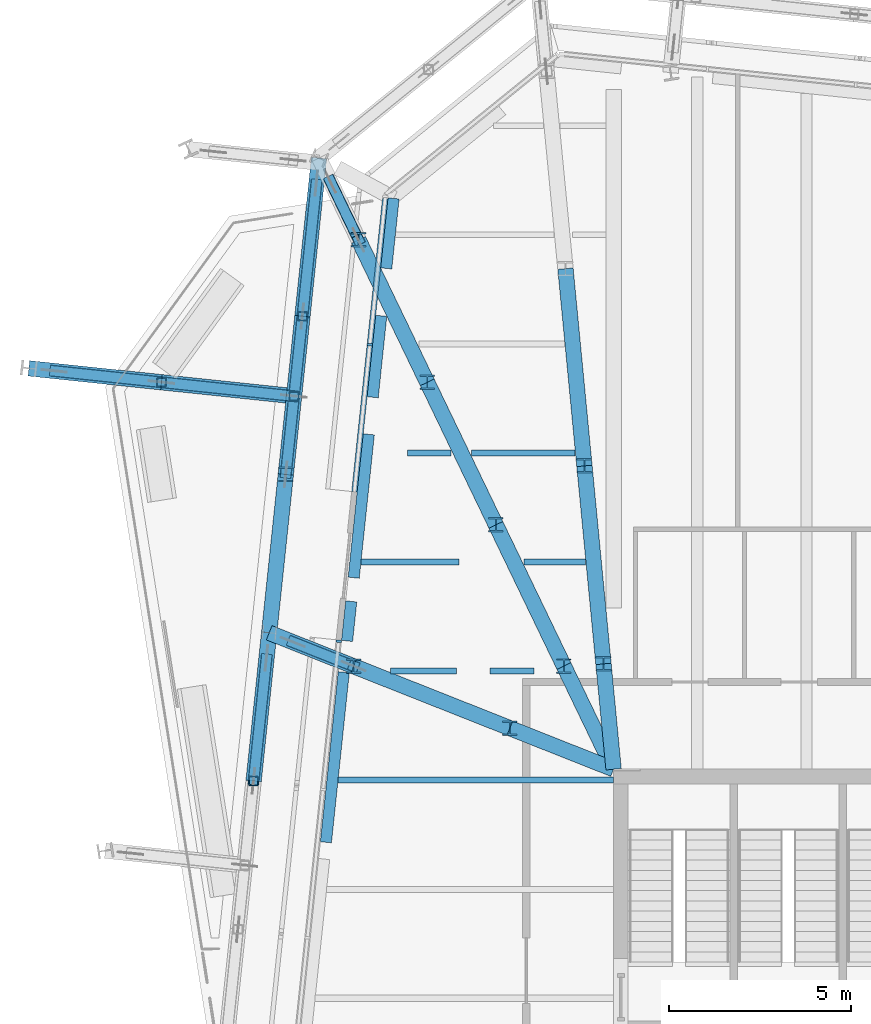
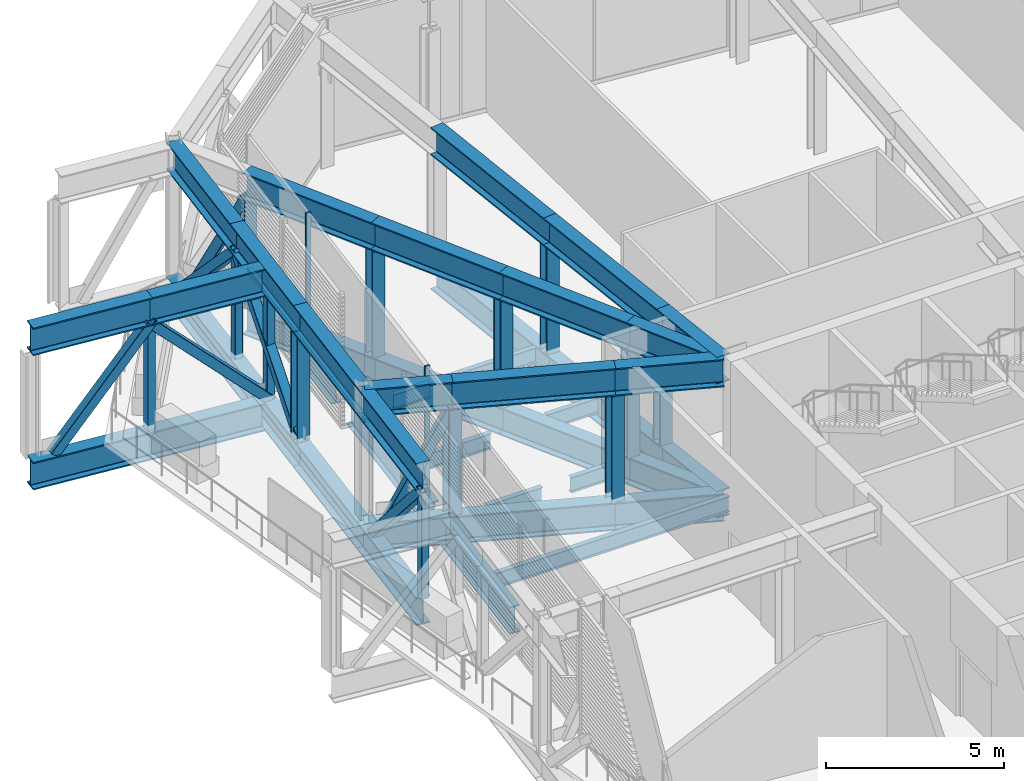
# One storey, part 13 of 36: 44 beams, 23 members, 1 element without a shape of its own.
"""IFC4 building model written with IfcOpenShell, lengths in metres."""

from ifc_helpers import new_model, si_unit, direction, frame, origin, origin_2d, place, context, subcontext, project, spatial, rectangle, hollow_rectangle, i_section, extrude, material, layer, layer_set, material_profile, profile_set, type_object, element, aggregate, save


model = new_model("IFC4")

# Units and contexts
model_context = context("Model", 3, precision=1e-05, world=origin(), true_north=direction((0.0, 1.0)))
body_context = subcontext(model_context, "Body", "Model", "MODEL_VIEW")
ifc_project = project(units=[si_unit("LENGTHUNIT", "METRE"), si_unit("AREAUNIT", "SQUARE_METRE"), si_unit("VOLUMEUNIT", "CUBIC_METRE"), si_unit("PLANEANGLEUNIT", "RADIAN"), si_unit("MASSUNIT", "GRAM", prefix="KILO")], contexts=[model_context])

# Site, building, storey
site_placement = place(None, origin())
site = spatial("IfcSite", under=ifc_project, at=site_placement, CompositionType="ELEMENT")
building_placement = place(site_placement, origin())
building = spatial("IfcBuilding", under=site, at=building_placement, Name="Millrace Tower", CompositionType="ELEMENT")
storey_placement = place(building_placement, frame((0.0, 0.0, 271.39990234375)))
storey = spatial("IfcBuildingStorey", under=building, at=storey_placement, Name="L62", CompositionType="ELEMENT", Elevation=271.39990234375)

# Curtain wall, members
ifc_material_1 = material(Name="Aluminium and glass", Category="aluminium")
ifc_layer = layer(ifc_material_1, 0.14990234375)
ifc_layer_set = layer_set([ifc_layer], Name="Aluminium and glass")
curtain_wall_type = type_object("IfcCurtainWallType", Name="CW-5 truss and plant storey louvred infill", PredefinedType="NOTDEFINED", material=ifc_layer_set)
curtain_wall_placement = place(storey_placement, origin())
curtain_wall = element("IfcCurtainWall", 1, at=curtain_wall_placement, inside=storey, type_object=curtain_wall_type, Name="Curtain wall E-F08 L62", PredefinedType="NOTDEFINED")
ifc_material_2 = material(Name="Aluminium", Category="aluminium")
ifc_material_profile_1 = material_profile(ifc_material_2, rectangle(XDim=0.06494140625, YDim=0.14990234375, at=origin_2d()))
ifc_profile_set_1 = profile_set([ifc_material_profile_1], Name="Aluminium")
member_type_1 = type_object("IfcMemberType", Name="CW-5 truss and plant storey louvred infill mullion", PredefinedType="MULLION", material=ifc_profile_set_1)
member_1_placement = place(storey_placement, frame((-21.00341796875, 20.974853515625, 0.14013671875), z_axis=(0.0, 0.0, 1.0), x_axis=(-0.104528455196, -0.994521896217, 0.0)))
member_1 = element("IfcMember", 2, at=member_1_placement, type_object=member_type_1, Name="CW5 mullion E-F08.2", PredefinedType="MULLION", context=body_context, shape_type="SweptSolid", body=[
    extrude(rectangle(XDim=0.06494140625, YDim=0.14990234375, at=origin_2d()), origin(), (0.0, 0.0, 1.0), 4.4599609375),
])
member_2_placement = place(storey_placement, frame((-21.860595703125, 12.81982421875, 0.14013671875), z_axis=(0.0, 0.0, 1.0), x_axis=(-0.104528455196, -0.994521896217, 0.0)))
member_2 = element("IfcMember", 3, at=member_2_placement, type_object=member_type_1, Name="CW5 mullion E-F08.4", PredefinedType="MULLION", context=body_context, shape_type="SweptSolid", body=[
    extrude(rectangle(XDim=0.06494140625, YDim=0.14990234375, at=origin_2d()), origin(), (0.0, 0.0, 1.0), 4.4599609375),
])
ifc_material_3 = material(Name="Aluminium", Category="aluminium")
ifc_material_profile_2 = material_profile(ifc_material_3, rectangle(XDim=0.14990234375, YDim=0.139892578125, at=origin_2d()))
ifc_profile_set_2 = profile_set([ifc_material_profile_2], Name="Aluminium")
member_type_2 = type_object("IfcMemberType", Name="CW-5 truss and plant storey louvred infill transom", PredefinedType="USERDEFINED", material=ifc_profile_set_2)
member_3_placement = place(storey_placement, frame((-20.581787109375, 24.9853515625, 0.070068359375), z_axis=(-0.104527886512, -0.994521955988, 0.0), x_axis=(0.994521955988, -0.104527886512, 0.0)))
member_3 = element("IfcMember", 4, at=member_3_placement, type_object=member_type_2, Name="CW5 transom E-F08.1", ObjectType="TRANSOM", PredefinedType="USERDEFINED", context=body_context, shape_type="SweptSolid", body=[
    extrude(rectangle(XDim=0.14990234375, YDim=0.139892578125, at=origin_2d()), origin(), (0.0, 0.0, 1.0), 8.10009765625),
])
aggregate(curtain_wall, [member_1, member_2, member_3])

# Beams
ifc_material_4 = material(Name="Steel ASTM A992 Grade 50", Category="steel")
ifc_material_profile_3 = material_profile(ifc_material_4, i_section(OverallWidth=0.1650390625, OverallDepth=0.52587890625, WebThickness=0.0087890625, FlangeThickness=0.011474609375, FilletRadius=0.0126953125, at=origin_2d()))
ifc_profile_set_3 = profile_set([ifc_material_profile_3], Name="Steel ASTM A992 Grade 50")
beam_type_1 = type_object("IfcBeamType", Name="Floor beam W21x44", PredefinedType="JOIST", material=ifc_profile_set_3)
beam_1_placement = place(storey_placement, frame((-21.87744140625, 9.0, -0.4228515625), z_axis=(1.0, 0.0, 0.0), x_axis=(0.0, 1.0, 0.0)))
element("IfcBeam", 5, at=beam_1_placement, inside=storey, type_object=beam_type_1, Name="BM-E-L62-S1-S023", PredefinedType="JOIST", context=body_context, shape_type="SweptSolid", body=[
    extrude(i_section(OverallWidth=0.1650390625, OverallDepth=0.52587890625, WebThickness=0.0087890625, FlangeThickness=0.011474609375, FilletRadius=0.0126953125, at=origin_2d()), origin(), (0.0, 0.0, 1.0), 7.577392578125),
])
beam_2_placement = place(storey_placement, frame((-21.246826171875, 15.0, -0.4228515625), z_axis=(1.0, 0.0, 0.0), x_axis=(0.0, 1.0, 0.0)))
element("IfcBeam", 6, at=beam_2_placement, inside=storey, type_object=beam_type_1, Name="BM-E-L62-S1-S027-a", PredefinedType="JOIST", context=body_context, shape_type="SweptSolid", body=[
    extrude(i_section(OverallWidth=0.1650390625, OverallDepth=0.52587890625, WebThickness=0.0087890625, FlangeThickness=0.011474609375, FilletRadius=0.0126953125, at=origin_2d()), origin(), (0.0, 0.0, 1.0), 2.699951171875),
])
beam_3_placement = place(storey_placement, frame((-17.70068359375, 12.0, -0.4228515625), z_axis=(1.0, 0.0, 0.0), x_axis=(0.0, 1.0, 0.0)))
element("IfcBeam", 7, at=beam_3_placement, inside=storey, type_object=beam_type_1, Name="BM-E-L62-S1-S025-a-b", PredefinedType="JOIST", context=body_context, shape_type="SweptSolid", body=[
    extrude(i_section(OverallWidth=0.1650390625, OverallDepth=0.52587890625, WebThickness=0.0087890625, FlangeThickness=0.011474609375, FilletRadius=0.0126953125, at=origin_2d()), origin(), (0.0, 0.0, 1.0), 1.20556640625),
])
beam_4_placement = place(storey_placement, frame((-16.767333984375, 15.0, -0.4228515625), z_axis=(1.0, 0.0, 0.0), x_axis=(0.0, 1.0, 0.0)))
element("IfcBeam", 8, at=beam_4_placement, inside=storey, type_object=beam_type_1, Name="BM-E-L62-S1-S027-b", PredefinedType="JOIST", context=body_context, shape_type="SweptSolid", body=[
    extrude(i_section(OverallWidth=0.1650390625, OverallDepth=0.52587890625, WebThickness=0.0087890625, FlangeThickness=0.011474609375, FilletRadius=0.0126953125, at=origin_2d()), origin(), (0.0, 0.0, 1.0), 1.695068359375),
])
beam_5_placement = place(storey_placement, frame((-19.964599609375, 18.0, -0.4228515625), z_axis=(1.0, 0.0, 0.0), x_axis=(0.0, 1.0, 0.0)))
element("IfcBeam", 9, at=beam_5_placement, inside=storey, type_object=beam_type_1, Name="BM-E-L62-S1-S029-a", PredefinedType="JOIST", context=body_context, shape_type="SweptSolid", body=[
    extrude(i_section(OverallWidth=0.1650390625, OverallDepth=0.52587890625, WebThickness=0.0087890625, FlangeThickness=0.011474609375, FilletRadius=0.0126953125, at=origin_2d()), origin(), (0.0, 0.0, 1.0), 1.19384765625),
])
beam_6_placement = place(storey_placement, frame((-18.212646484375, 18.0, -0.4228515625), z_axis=(1.0, 0.0, 0.0), x_axis=(0.0, 1.0, 0.0)))
element("IfcBeam", 10, at=beam_6_placement, inside=storey, type_object=beam_type_1, Name="BM-E-L62-S1-S029-b", PredefinedType="JOIST", context=body_context, shape_type="SweptSolid", body=[
    extrude(i_section(OverallWidth=0.1650390625, OverallDepth=0.52587890625, WebThickness=0.0087890625, FlangeThickness=0.011474609375, FilletRadius=0.0126953125, at=origin_2d()), origin(), (0.0, 0.0, 1.0), 2.8515625),
])
beam_7_placement = place(storey_placement, frame((-20.43359375, 12.0, -0.4228515625), z_axis=(1.0, 0.0, 0.0), x_axis=(0.0, 1.0, 0.0)))
element("IfcBeam", 11, at=beam_7_placement, inside=storey, type_object=beam_type_1, Name="BM-E-L62-S1-S025-a-a", PredefinedType="JOIST", context=body_context, shape_type="SweptSolid", body=[
    extrude(i_section(OverallWidth=0.1650390625, OverallDepth=0.52587890625, WebThickness=0.0087890625, FlangeThickness=0.011474609375, FilletRadius=0.0126953125, at=origin_2d()), origin(), (0.0, 0.0, 1.0), 1.8134765625),
])
ifc_material_5 = material(Name="Steel ASTM A992 Grade 50", Category="steel")
ifc_material_profile_4 = material_profile(ifc_material_5, i_section(OverallWidth=0.307373046875, OverallDepth=0.927001953125, WebThickness=0.01953125, FlangeThickness=0.031982421875, FilletRadius=0.01904296875, at=origin_2d()))
ifc_profile_set_4 = profile_set([ifc_material_profile_4], Name="Steel ASTM A992 Grade 50")
beam_type_2 = type_object("IfcBeamType", Name="Ring beam short span W36x194", PredefinedType="SPANDREL", material=ifc_profile_set_4)
beam_8_placement = place(storey_placement, frame((-21.629638671875, 12.828369140625, -0.62353515625), z_axis=(0.104522021977, 0.994522572354, 0.0), x_axis=(-0.994522572354, 0.104522021977, 0.0)))
element("IfcBeam", 12, at=beam_8_placement, inside=storey, type_object=beam_type_2, Name="RNG-E-L62-S1-03-a-a", PredefinedType="SPANDREL", context=body_context, shape_type="SweptSolid", body=[
    extrude(i_section(OverallWidth=0.307373046875, OverallDepth=0.927001953125, WebThickness=0.01953125, FlangeThickness=0.031982421875, FilletRadius=0.01904296875, at=origin_2d()), origin(), (0.0, 0.0, 1.0), 1.09326171875),
])
beam_9_placement = place(storey_placement, frame((-21.447021484375, 14.5673828125, -0.62353515625), z_axis=(0.104575782235, 0.994516920806, 0.0), x_axis=(-0.994516920806, 0.104575782235, 0.0)))
element("IfcBeam", 13, at=beam_9_placement, inside=storey, type_object=beam_type_2, Name="RNG-E-L62-S1-03-a-b", PredefinedType="SPANDREL", context=body_context, shape_type="SweptSolid", body=[
    extrude(i_section(OverallWidth=0.307373046875, OverallDepth=0.927001953125, WebThickness=0.01953125, FlangeThickness=0.031982421875, FilletRadius=0.01904296875, at=origin_2d()), origin(), (0.0, 0.0, 1.0), 3.964111328125),
])
beam_10_placement = place(storey_placement, frame((-22.211669921875, 7.2919921875, -0.62353515625), z_axis=(0.10454150475, 0.994520524567, 0.0), x_axis=(-0.994520524567, 0.10454150475, 0.0)))
element("IfcBeam", 14, at=beam_10_placement, inside=storey, type_object=beam_type_2, Name="RNG-E-L62-S1-02-b", PredefinedType="SPANDREL", context=body_context, shape_type="SweptSolid", body=[
    extrude(i_section(OverallWidth=0.307373046875, OverallDepth=0.927001953125, WebThickness=0.01953125, FlangeThickness=0.031982421875, FilletRadius=0.01904296875, at=origin_2d()), origin(), (0.0, 0.0, 1.0), 4.701171875),
])
beam_11_placement = place(storey_placement, frame((-20.92529296875, 19.529541015625, -0.62353515625), z_axis=(0.104549290803, 0.994519706086, 0.0), x_axis=(-0.994519706086, 0.104549290803, 0.0)))
element("IfcBeam", 15, at=beam_11_placement, inside=storey, type_object=beam_type_2, Name="RNG-E-L62-S1-03-b-a", PredefinedType="SPANDREL", context=body_context, shape_type="SweptSolid", body=[
    extrude(i_section(OverallWidth=0.307373046875, OverallDepth=0.927001953125, WebThickness=0.01953125, FlangeThickness=0.031982421875, FilletRadius=0.01904296875, at=origin_2d()), origin(), (0.0, 0.0, 1.0), 2.251220703125),
])
beam_12_placement = place(storey_placement, frame((-20.552978515625, 23.072265625, -0.62353515625), z_axis=(0.104546923993, 0.994519954895, 0.0), x_axis=(-0.994519954895, 0.104546923993, 0.0)))
element("IfcBeam", 16, at=beam_12_placement, inside=storey, type_object=beam_type_2, Name="RNG-E-L62-S1-03-b-b", PredefinedType="SPANDREL", context=body_context, shape_type="SweptSolid", body=[
    extrude(i_section(OverallWidth=0.307373046875, OverallDepth=0.927001953125, WebThickness=0.01953125, FlangeThickness=0.031982421875, FilletRadius=0.01904296875, at=origin_2d()), origin(), (0.0, 0.0, 1.0), 1.935791015625),
])

# Members
ifc_material_6 = material(Name="Steel ASTM A992 Grade 50", Category="steel")
ifc_material_profile_5 = material_profile(ifc_material_6, i_section(OverallWidth=0.4013671875, OverallDepth=0.398681640625, WebThickness=0.02490234375, FlangeThickness=0.03955078125, FilletRadius=0.01513671875, at=origin_2d()))
ifc_profile_set_5 = profile_set([ifc_material_profile_5], Name="Steel ASTM A992 Grade 50")
member_type_3 = type_object("IfcMemberType", Name="Transfer truss Vierendeel moment post W14x211", PredefinedType="POST", material=ifc_profile_set_5)
for number, where, z_axis, x_axis, name in (
    (17, (-23.314208984375, 17.405517578125, -0.159912109375), (0.0, 0.0, 1.0), (1.0, 0.0, 0.0), "TRS-L62-R14-V02"),
    (18, (-15.1025390625, 17.64111328125, -0.159912109375), (0.0, 0.0, 1.0), (1.0, 0.0, 0.0), "TRS-L62-C13-V03"),
    (19, (-14.57861328125, 12.19677734375, -0.159912109375), (0.0, 0.0, 1.0), (1.0, 0.0, 0.0), "TRS-L62-C13-V04"),
    (20, (-21.314208984375, 23.857666015625, -0.159912109375), (0.0, 0.0, 1.0), (1.0, 0.0, 0.0), "TRS-L62-C14-V01"),
    (21, (-19.426025390625, 19.93896484375, -0.159912109375), (0.0, 0.0, 1.0), (1.0, 0.0, 0.0), "TRS-L62-C14-V02"),
    (22, (-17.537841796875, 16.02001953125, -0.159912109375), (0.0, 0.0, 1.0), (1.0, 0.0, 0.0), "TRS-L62-C14-V03"),
    (23, (-15.667236328125, 12.137939453125, -0.159912109375), (0.0, 0.0, 1.0), (1.0, 0.0, 0.0), "TRS-L62-C14-V04"),
    (24, (-21.447509765625, 12.13232421875, -0.159912109375), (0.0, 0.0, 1.0), (1.0, 0.0, 0.0), "TRS-L62-C15-V01"),
    (25, (-17.154052734375, 10.43115234375, -0.159912109375), (0.0, 0.0, 1.0), (1.0, 0.0, 0.0), "TRS-L62-C15-V02"),
):
    element("IfcMember", number, at=place(storey_placement, frame(where, z_axis=z_axis, x_axis=x_axis)), inside=storey, type_object=member_type_3, Name=name, PredefinedType="POST", context=body_context, shape_type="SweptSolid", body=[
        extrude(i_section(OverallWidth=0.4013671875, OverallDepth=0.398681640625, WebThickness=0.02490234375, FlangeThickness=0.03955078125, FilletRadius=0.01513671875, at=origin_2d()), origin(), (0.0, 0.0, 1.0), 3.652587890625),
    ])

# Beams
ifc_material_7 = material(Name="Steel ASTM A992 Grade 50", Category="steel")
ifc_material_profile_6 = material_profile(ifc_material_7, i_section(OverallWidth=0.424072265625, OverallDepth=0.947509765625, WebThickness=0.02392578125, FlangeThickness=0.042724609375, FilletRadius=0.024169921875, at=origin_2d()))
ifc_profile_set_6 = profile_set([ifc_material_profile_6], Name="Steel ASTM A992 Grade 50")
beam_type_3 = type_object("IfcBeamType", Name="Transfer truss chord W36x302", PredefinedType="BEAM", material=ifc_profile_set_6)
for number, where, z_axis, x_axis, name in (
    (26, (-22.399169921875, 26.10986328125, -0.633544921875), (-0.104551192336, -0.994519506184, 0.0), (0.994519506184, -0.104551192336, 0.0), "TRS-L62-R14-B01"),
    (27, (-22.399169921875, 26.10986328125, 3.96630859375), (-0.104551192336, -0.994519506184, 0.0), (0.994519506184, -0.104551192336, 0.0), "TRS-L62-R14-T01"),
):
    element("IfcBeam", number, at=place(storey_placement, frame(where, z_axis=z_axis, x_axis=x_axis)), inside=storey, type_object=beam_type_3, Name=name, PredefinedType="BEAM", context=body_context, shape_type="SweptSolid", body=[
        extrude(i_section(OverallWidth=0.424072265625, OverallDepth=0.947509765625, WebThickness=0.02392578125, FlangeThickness=0.042724609375, FilletRadius=0.024169921875, at=origin_2d()), origin(), (0.0, 0.0, 1.0), 4.3759765625),
    ])
for number, where, z_axis, x_axis, name in (
    (28, (-22.856689453125, 21.7578125, -0.633544921875), (-0.104545391672, -0.994520115976, 0.0), (0.994520115976, -0.104545391672, 0.0), "TRS-L62-R14-B02"),
    (29, (-22.856689453125, 21.7578125, 3.96630859375), (-0.104545391672, -0.994520115976, 0.0), (0.994520115976, -0.104545391672, 0.0), "TRS-L62-R14-T02"),
):
    element("IfcBeam", number, at=place(storey_placement, frame(where, z_axis=z_axis, x_axis=x_axis)), inside=storey, type_object=beam_type_3, Name=name, PredefinedType="BEAM", context=body_context, shape_type="SweptSolid", body=[
        extrude(i_section(OverallWidth=0.424072265625, OverallDepth=0.947509765625, WebThickness=0.02392578125, FlangeThickness=0.042724609375, FilletRadius=0.024169921875, at=origin_2d()), origin(), (0.0, 0.0, 1.0), 4.376220703125),
    ])
for number, where, z_axis, x_axis, name in (
    (30, (-23.314208984375, 17.405517578125, -0.633544921875), (-0.104496011305, -0.994525305672, 0.0), (0.994525305672, -0.104496011305, 0.0), "TRS-L62-R14-B03"),
    (31, (-23.314208984375, 17.405517578125, 3.96630859375), (-0.104496011305, -0.994525305672, 0.0), (0.994525305672, -0.104496011305, 0.0), "TRS-L62-R14-T03"),
):
    element("IfcBeam", number, at=place(storey_placement, frame(where, z_axis=z_axis, x_axis=x_axis)), inside=storey, type_object=beam_type_3, Name=name, PredefinedType="BEAM", context=body_context, shape_type="SweptSolid", body=[
        extrude(i_section(OverallWidth=0.424072265625, OverallDepth=0.947509765625, WebThickness=0.02392578125, FlangeThickness=0.042724609375, FilletRadius=0.024169921875, at=origin_2d()), origin(), (0.0, 0.0, 1.0), 4.3759765625),
    ])
for number, where, z_axis, x_axis, name in (
    (32, (-23.771484375, 13.053466796875, -0.633544921875), (-0.104560799856, -0.994518496124, 0.0), (0.994518496124, -0.104560799856, 0.0), "TRS-L62-R15-B01"),
    (33, (-23.771484375, 13.053466796875, 3.96630859375), (-0.104560799856, -0.994518496124, 0.0), (0.994518496124, -0.104560799856, 0.0), "TRS-L62-R15-T01"),
):
    element("IfcBeam", number, at=place(storey_placement, frame(where, z_axis=z_axis, x_axis=x_axis)), inside=storey, type_object=beam_type_3, Name=name, PredefinedType="BEAM", context=body_context, shape_type="SweptSolid", body=[
        extrude(i_section(OverallWidth=0.424072265625, OverallDepth=0.947509765625, WebThickness=0.02392578125, FlangeThickness=0.042724609375, FilletRadius=0.024169921875, at=origin_2d()), origin(), (0.0, 0.0, 1.0), 4.10009765625),
    ])
for number, where, z_axis, x_axis, name in (
    (34, (-15.62451171875, 23.066162109375, -0.633544921875), (0.095773009392, -0.995403200051, 0.0), (0.995403200051, 0.095773009392, 0.0), "TRS-L62-C13-B03"),
    (35, (-15.62451171875, 23.066162109375, 3.96630859375), (0.095773009392, -0.995403200051, 0.0), (0.995403200051, 0.095773009392, 0.0), "TRS-L62-C13-T03"),
):
    element("IfcBeam", number, at=place(storey_placement, frame(where, z_axis=z_axis, x_axis=x_axis)), inside=storey, type_object=beam_type_3, Name=name, PredefinedType="BEAM", context=body_context, shape_type="SweptSolid", body=[
        extrude(i_section(OverallWidth=0.424072265625, OverallDepth=0.947509765625, WebThickness=0.02392578125, FlangeThickness=0.042724609375, FilletRadius=0.024169921875, at=origin_2d()), origin(), (0.0, 0.0, 1.0), 5.4501953125),
    ])
for number, where, z_axis, x_axis, name in (
    (36, (-15.1025390625, 17.64111328125, -0.633544921875), (0.095790655757, -0.995401502043, 0.0), (0.995401502043, 0.095790655757, 0.0), "TRS-L62-C13-B04"),
    (37, (-15.1025390625, 17.64111328125, 3.96630859375), (0.095790655757, -0.995401502043, 0.0), (0.995401502043, 0.095790655757, 0.0), "TRS-L62-C13-T04"),
):
    element("IfcBeam", number, at=place(storey_placement, frame(where, z_axis=z_axis, x_axis=x_axis)), inside=storey, type_object=beam_type_3, Name=name, PredefinedType="BEAM", context=body_context, shape_type="SweptSolid", body=[
        extrude(i_section(OverallWidth=0.424072265625, OverallDepth=0.947509765625, WebThickness=0.02392578125, FlangeThickness=0.042724609375, FilletRadius=0.024169921875, at=origin_2d()), origin(), (0.0, 0.0, 1.0), 5.469482421875),
    ])
for number, where, z_axis, x_axis, name in (
    (38, (-14.57861328125, 12.19677734375, -0.633544921875), (0.095723596667, -0.995407953073, 0.0), (0.995407953073, 0.095723596667, 0.0), "TRS-L62-C13-B05"),
    (39, (-14.57861328125, 12.19677734375, 3.96630859375), (0.095723596667, -0.995407953073, 0.0), (0.995407953073, 0.095723596667, 0.0), "TRS-L62-C13-T05"),
):
    element("IfcBeam", number, at=place(storey_placement, frame(where, z_axis=z_axis, x_axis=x_axis)), inside=storey, type_object=beam_type_3, Name=name, PredefinedType="BEAM", context=body_context, shape_type="SweptSolid", body=[
        extrude(i_section(OverallWidth=0.424072265625, OverallDepth=0.947509765625, WebThickness=0.02392578125, FlangeThickness=0.042724609375, FilletRadius=0.024169921875, at=origin_2d()), origin(), (0.0, 0.0, 1.0), 2.91015625),
    ])
for number, where, z_axis, x_axis, name in (
    (40, (-21.314208984375, 23.857666015625, -0.633544921875), (0.434077166859, -0.90087569243, 0.0), (0.90087569243, 0.434077166859, 0.0), "TRS-L62-C14-B02"),
    (41, (-21.314208984375, 23.857666015625, 3.96630859375), (0.434077166859, -0.90087569243, 0.0), (0.90087569243, 0.434077166859, 0.0), "TRS-L62-C14-T02"),
):
    element("IfcBeam", number, at=place(storey_placement, frame(where, z_axis=z_axis, x_axis=x_axis)), inside=storey, type_object=beam_type_3, Name=name, PredefinedType="BEAM", context=body_context, shape_type="SweptSolid", body=[
        extrude(i_section(OverallWidth=0.424072265625, OverallDepth=0.947509765625, WebThickness=0.02392578125, FlangeThickness=0.042724609375, FilletRadius=0.024169921875, at=origin_2d()), origin(), (0.0, 0.0, 1.0), 4.349853515625),
    ])
for number, where, z_axis, x_axis, name in (
    (42, (-19.426025390625, 19.93896484375, -0.633544921875), (0.434055219858, -0.900886267025, 0.0), (0.900886267025, 0.434055219858, 0.0), "TRS-L62-C14-B03"),
    (43, (-19.426025390625, 19.93896484375, 3.96630859375), (0.434055219858, -0.900886267025, 0.0), (0.900886267025, 0.434055219858, 0.0), "TRS-L62-C14-T03"),
):
    element("IfcBeam", number, at=place(storey_placement, frame(where, z_axis=z_axis, x_axis=x_axis)), inside=storey, type_object=beam_type_3, Name=name, PredefinedType="BEAM", context=body_context, shape_type="SweptSolid", body=[
        extrude(i_section(OverallWidth=0.424072265625, OverallDepth=0.947509765625, WebThickness=0.02392578125, FlangeThickness=0.042724609375, FilletRadius=0.024169921875, at=origin_2d()), origin(), (0.0, 0.0, 1.0), 4.35009765625),
    ])
for number, where, z_axis, x_axis, name in (
    (44, (-17.537841796875, 16.02001953125, -0.633544921875), (0.434089851298, -0.900869580461, 0.0), (0.900869580461, 0.434089851298, 0.0), "TRS-L62-C14-B04"),
    (45, (-17.537841796875, 16.02001953125, 3.96630859375), (0.434089851298, -0.900869580461, 0.0), (0.900869580461, 0.434089851298, 0.0), "TRS-L62-C14-T04"),
):
    element("IfcBeam", number, at=place(storey_placement, frame(where, z_axis=z_axis, x_axis=x_axis)), inside=storey, type_object=beam_type_3, Name=name, PredefinedType="BEAM", context=body_context, shape_type="SweptSolid", body=[
        extrude(i_section(OverallWidth=0.424072265625, OverallDepth=0.947509765625, WebThickness=0.02392578125, FlangeThickness=0.042724609375, FilletRadius=0.024169921875, at=origin_2d()), origin(), (0.0, 0.0, 1.0), 4.309326171875),
    ])
for number, where, z_axis, x_axis, name in (
    (46, (-15.667236328125, 12.137939453125, -0.633544921875), (0.434020672984, -0.900902911208, 0.0), (0.900902911208, 0.434020672984, 0.0), "TRS-L62-C14-B05"),
    (47, (-15.667236328125, 12.137939453125, 3.96630859375), (0.434020672984, -0.900902911208, 0.0), (0.900902911208, 0.434020672984, 0.0), "TRS-L62-C14-T05"),
):
    element("IfcBeam", number, at=place(storey_placement, frame(where, z_axis=z_axis, x_axis=x_axis)), inside=storey, type_object=beam_type_3, Name=name, PredefinedType="BEAM", context=body_context, shape_type="SweptSolid", body=[
        extrude(i_section(OverallWidth=0.424072265625, OverallDepth=0.947509765625, WebThickness=0.02392578125, FlangeThickness=0.042724609375, FilletRadius=0.024169921875, at=origin_2d()), origin(), (0.0, 0.0, 1.0), 3.150146484375),
    ])
for number, where, z_axis, x_axis, name in (
    (48, (-23.771484375, 13.053466796875, -0.633544921875), (0.929637320852, -0.368475849519, 0.0), (0.368475849519, 0.929637320852, 0.0), "TRS-L62-C15-B01"),
    (49, (-23.771484375, 13.053466796875, 3.96630859375), (0.929637320852, -0.368475849519, 0.0), (0.368475849519, 0.929637320852, 0.0), "TRS-L62-C15-T01"),
):
    element("IfcBeam", number, at=place(storey_placement, frame(where, z_axis=z_axis, x_axis=x_axis)), inside=storey, type_object=beam_type_3, Name=name, PredefinedType="BEAM", context=body_context, shape_type="SweptSolid", body=[
        extrude(i_section(OverallWidth=0.424072265625, OverallDepth=0.947509765625, WebThickness=0.02392578125, FlangeThickness=0.042724609375, FilletRadius=0.024169921875, at=origin_2d()), origin(), (0.0, 0.0, 1.0), 2.499755859375),
    ])
for number, where, z_axis, x_axis, name in (
    (50, (-21.447509765625, 12.13232421875, -0.633544921875), (0.929682183641, -0.368362643899, 0.0), (0.368362643899, 0.929682183641, 0.0), "TRS-L62-C15-B02"),
    (51, (-21.447509765625, 12.13232421875, 3.96630859375), (0.929682183641, -0.368362643899, 0.0), (0.368362643899, 0.929682183641, 0.0), "TRS-L62-C15-T02"),
):
    element("IfcBeam", number, at=place(storey_placement, frame(where, z_axis=z_axis, x_axis=x_axis)), inside=storey, type_object=beam_type_3, Name=name, PredefinedType="BEAM", context=body_context, shape_type="SweptSolid", body=[
        extrude(i_section(OverallWidth=0.424072265625, OverallDepth=0.947509765625, WebThickness=0.02392578125, FlangeThickness=0.042724609375, FilletRadius=0.024169921875, at=origin_2d()), origin(), (0.0, 0.0, 1.0), 4.6181640625),
    ])
for number, where, z_axis, x_axis, name in (
    (52, (-17.154052734375, 10.43115234375, -0.633544921875), (0.929651179812, -0.368440882469, 0.0), (0.368440882469, 0.929651179812, 0.0), "TRS-L62-C15-B03"),
    (53, (-17.154052734375, 10.43115234375, 3.96630859375), (0.929651179812, -0.368440882469, 0.0), (0.368440882469, 0.929651179812, 0.0), "TRS-L62-C15-T03"),
):
    element("IfcBeam", number, at=place(storey_placement, frame(where, z_axis=z_axis, x_axis=x_axis)), inside=storey, type_object=beam_type_3, Name=name, PredefinedType="BEAM", context=body_context, shape_type="SweptSolid", body=[
        extrude(i_section(OverallWidth=0.424072265625, OverallDepth=0.947509765625, WebThickness=0.02392578125, FlangeThickness=0.042724609375, FilletRadius=0.024169921875, at=origin_2d()), origin(), (0.0, 0.0, 1.0), 3.070068359375),
    ])
for number, where, z_axis, x_axis, name in (
    (54, (-30.37841796875, 20.32470703125, -0.633544921875), (0.994524050943, -0.104507952309, 0.0), (0.104507952309, 0.994524050943, 0.0), "TRS-L62-B-D-X14-B01"),
    (55, (-30.37841796875, 20.32470703125, 3.96630859375), (0.994524050943, -0.104507952309, 0.0), (0.104507952309, 0.994524050943, 0.0), "TRS-L62-B-D-X14-T01"),
):
    element("IfcBeam", number, at=place(storey_placement, frame(where, z_axis=z_axis, x_axis=x_axis)), inside=storey, type_object=beam_type_3, Name=name, PredefinedType="BEAM", context=body_context, shape_type="SweptSolid", body=[
        extrude(i_section(OverallWidth=0.424072265625, OverallDepth=0.947509765625, WebThickness=0.02392578125, FlangeThickness=0.042724609375, FilletRadius=0.024169921875, at=origin_2d()), origin(), (0.0, 0.0, 1.0), 3.665283203125),
    ])
for number, where, z_axis, x_axis, name in (
    (56, (-26.733154296875, 19.941650390625, -0.633544921875), (0.994518229376, -0.104563336976, 0.0), (0.104563336976, 0.994518229376, 0.0), "TRS-L62-B-D-X14-B02"),
    (57, (-26.733154296875, 19.941650390625, 3.96630859375), (0.994518229376, -0.104563336976, 0.0), (0.104563336976, 0.994518229376, 0.0), "TRS-L62-B-D-X14-T02"),
):
    element("IfcBeam", number, at=place(storey_placement, frame(where, z_axis=z_axis, x_axis=x_axis)), inside=storey, type_object=beam_type_3, Name=name, PredefinedType="BEAM", context=body_context, shape_type="SweptSolid", body=[
        extrude(i_section(OverallWidth=0.424072265625, OverallDepth=0.947509765625, WebThickness=0.02392578125, FlangeThickness=0.042724609375, FilletRadius=0.024169921875, at=origin_2d()), origin(), (0.0, 0.0, 1.0), 3.453369140625),
    ])

# Members
ifc_material_8 = material(Name="Steel ASTM A500 Grade C", Category="steel")
ifc_material_profile_7 = material_profile(ifc_material_8, hollow_rectangle(XDim=0.3046875, YDim=0.3046875, WallThickness=0.0126953125, InnerFilletRadius=0.00634765625, OuterFilletRadius=0.01904296875, at=origin_2d()))
ifc_profile_set_7 = profile_set([ifc_material_profile_7], Name="Steel ASTM A500 Grade C")
member_type_4 = type_object("IfcMemberType", Name="Transfer truss diagonal HSS12x12x1/2", PredefinedType="BRACE", material=ifc_profile_set_7)
member_4_placement = place(storey_placement, frame((-22.472412109375, 25.413818359375, -0.159912109375), z_axis=(-0.074152977413, -0.705489731102, 0.704830174759), x_axis=(0.994521452977, -0.104532672253, 0.0)))
element("IfcMember", 58, at=member_4_placement, inside=storey, type_object=member_type_4, Name="TRS-L62-R14-D01", PredefinedType="BRACE", context=body_context, shape_type="SweptSolid", body=[
    extrude(hollow_rectangle(XDim=0.3046875, YDim=0.3046875, WallThickness=0.0126953125, InnerFilletRadius=0.00634765625, OuterFilletRadius=0.01904296875, at=origin_2d()), origin(), (0.0, 0.0, 1.0), 5.18212890625),
])
member_5_placement = place(storey_placement, frame((-23.314208984375, 17.405517578125, -0.159912109375), z_axis=(0.080262639939, 0.763522989429, 0.640773402415), x_axis=(-0.994520115976, 0.104545391672, 0.0)))
element("IfcMember", 59, at=member_5_placement, inside=storey, type_object=member_type_4, Name="TRS-L62-R14-D02", PredefinedType="BRACE", context=body_context, shape_type="SweptSolid", body=[
    extrude(hollow_rectangle(XDim=0.3046875, YDim=0.3046875, WallThickness=0.0126953125, InnerFilletRadius=0.00634765625, OuterFilletRadius=0.01904296875, at=origin_2d()), origin(), (0.0, 0.0, 1.0), 5.7001953125),
])
member_6_placement = place(storey_placement, frame((-23.8447265625, 12.357177734375, -0.159912109375), z_axis=(-0.071234551315, -0.67760888442, 0.731964369661), x_axis=(0.994519608382, -0.104550220202, 0.0)))
element("IfcMember", 60, at=member_6_placement, inside=storey, type_object=member_type_4, Name="TRS-L62-R15-D01", PredefinedType="BRACE", context=body_context, shape_type="SweptSolid", body=[
    extrude(hollow_rectangle(XDim=0.3046875, YDim=0.3046875, WallThickness=0.0126953125, InnerFilletRadius=0.00634765625, OuterFilletRadius=0.01904296875, at=origin_2d()), origin(), (0.0, 0.0, 1.0), 4.990234375),
])
for number, where, z_axis, x_axis, name in (
    (61, (-22.095458984375, 25.479248046875, -0.159912109375), (0.191858492658, -0.398226283823, 0.896998408955), (0.900895610987, 0.43403582583, 0.0), "TRS-L62-C14-D01"),
    (62, (-23.120849609375, 12.79541015625, -0.159912109375), (0.410938527975, -0.162840537202, 0.897001942958), (0.368395335316, 0.929669229843, 0.0), "TRS-L62-C15-D01"),
):
    element("IfcMember", number, at=place(storey_placement, frame(where, z_axis=z_axis, x_axis=x_axis)), inside=storey, type_object=member_type_4, Name=name, PredefinedType="BRACE", context=body_context, shape_type="SweptSolid", body=[
        extrude(hollow_rectangle(XDim=0.3046875, YDim=0.3046875, WallThickness=0.0126953125, InnerFilletRadius=0.00634765625, OuterFilletRadius=0.01904296875, at=origin_2d()), origin(), (0.0, 0.0, 1.0), 4.072021484375),
    ])
member_7_placement = place(storey_placement, frame((-29.68212890625, 20.25146484375, -0.159912109375), z_axis=(0.626819796003, -0.065852663393, 0.776376435798), x_axis=(0.10448334315, 0.994526636649, 0.0)))
element("IfcMember", 63, at=member_7_placement, inside=storey, type_object=member_type_4, Name="TRS-L62-B-D-X14-D01", PredefinedType="BRACE", context=body_context, shape_type="SweptSolid", body=[
    extrude(hollow_rectangle(XDim=0.3046875, YDim=0.3046875, WallThickness=0.0126953125, InnerFilletRadius=0.00634765625, OuterFilletRadius=0.01904296875, at=origin_2d()), origin(), (0.0, 0.0, 1.0), 4.70458984375),
])
member_8_placement = place(storey_placement, frame((-23.087890625, 19.558349609375, -0.159912109375), z_axis=(-0.704456123409, 0.074073813794, 0.705871546602), x_axis=(-0.104573832135, -0.994517125862, 0.0)))
element("IfcMember", 64, at=member_8_placement, inside=storey, type_object=member_type_4, Name="TRS-L62-B-D-X14-D02", PredefinedType="BRACE", context=body_context, shape_type="SweptSolid", body=[
    extrude(hollow_rectangle(XDim=0.3046875, YDim=0.3046875, WallThickness=0.0126953125, InnerFilletRadius=0.00634765625, OuterFilletRadius=0.01904296875, at=origin_2d()), origin(), (0.0, 0.0, 1.0), 5.174560546875),
])
ifc_material_9 = material(Name="Steel ASTM A500 Grade C", Category="steel")
ifc_material_profile_8 = material_profile(ifc_material_9, hollow_rectangle(XDim=0.25390625, YDim=0.25390625, WallThickness=0.0126953125, InnerFilletRadius=0.00634765625, OuterFilletRadius=0.01904296875, at=origin_2d()))
ifc_profile_set_8 = profile_set([ifc_material_profile_8], Name="Steel ASTM A500 Grade C")
member_type_5 = type_object("IfcMemberType", Name="Transfer truss post HSS10x10x1/2", PredefinedType="POST", material=ifc_profile_set_8)
for number, where, z_axis, x_axis, name in (
    (65, (-22.856689453125, 21.7578125, -0.159912109375), (0.0, 0.0, 1.0), (1.0, 0.0, 0.0), "TRS-L62-R14-V01"),
    (66, (-24.2001953125, 8.975830078125, -0.159912109375), (0.0, 0.0, 1.0), (1.0, 0.0, 0.0), "TRS-L62-R15-V01"),
    (67, (-26.733154296875, 19.941650390625, -0.159912109375), (0.0, 0.0, 1.0), (1.0, 0.0, 0.0), "TRS-L62-B-D-X14-V01"),
    (68, (-23.087890625, 19.558349609375, -0.159912109375), (0.0, 0.0, 1.0), (1.0, 0.0, 0.0), "TRS-L62-B-D-X14-V02"),
):
    element("IfcMember", number, at=place(storey_placement, frame(where, z_axis=z_axis, x_axis=x_axis)), inside=storey, type_object=member_type_5, Name=name, PredefinedType="POST", context=body_context, shape_type="SweptSolid", body=[
        extrude(hollow_rectangle(XDim=0.25390625, YDim=0.25390625, WallThickness=0.0126953125, InnerFilletRadius=0.00634765625, OuterFilletRadius=0.01904296875, at=origin_2d()), origin(), (0.0, 0.0, 1.0), 3.652587890625),
    ])

save(model, "model.ifc")
